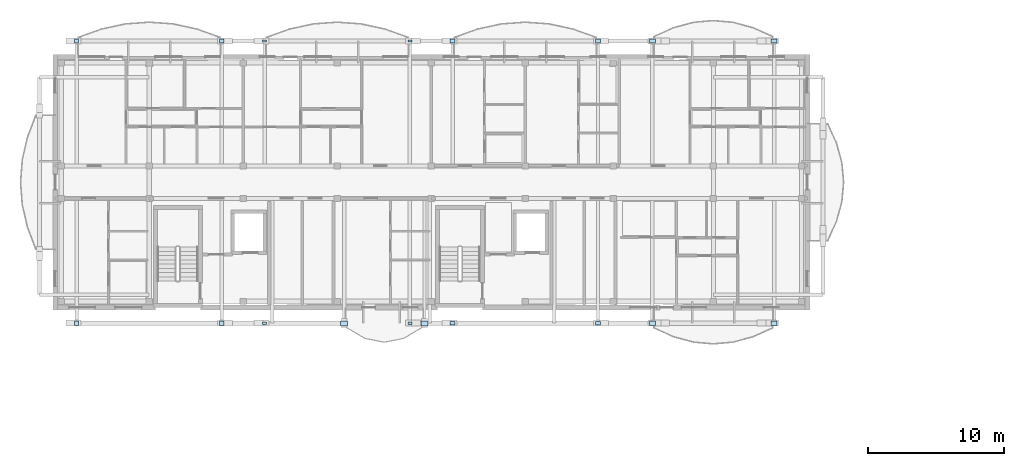
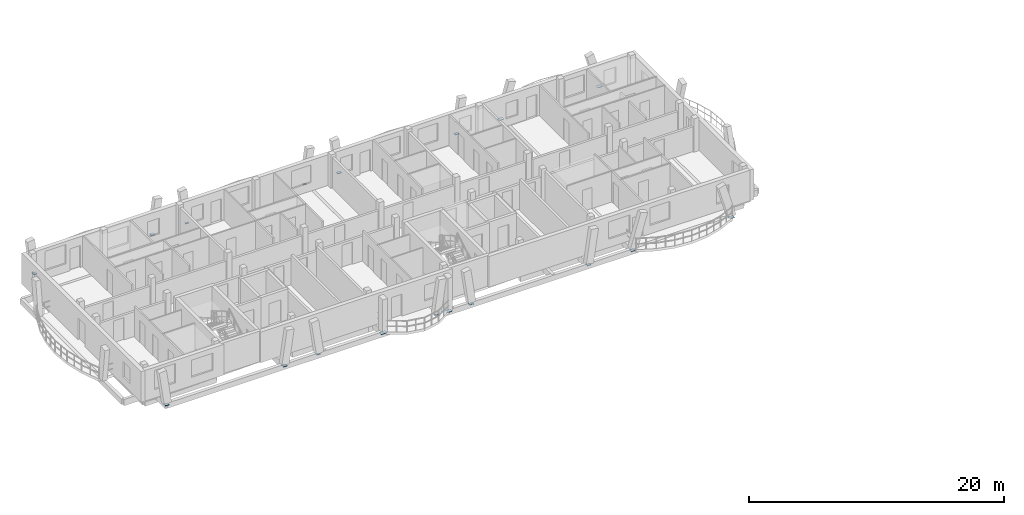
# One storey, part 13 of 52: 18 plates.
"""IFC4 building model written with IfcOpenShell, lengths in metres."""

import ifcopenshell
import ifcopenshell.guid

model = None  # the IFC model being written
_history = None  # IfcOwnerHistory: only IFC2X3 demands one
_inside = {}  # id of a spatial element -> (the spatial element, [elements in it])
_under = {}  # id of a project, library or spatial element -> (it, [spatial elements below it])
_declared = {}  # id of a project -> (the project, [libraries it declares])
_typed = {}  # id of a type object -> (the type object, [elements of that type])
_made_of = {}  # id of a material, layer set ... -> (it, [elements and type objects made of it])


def new_model(schema):
    """Start an empty IFC model of exactly this schema.

    Asked for "IFC4X3", IfcOpenShell would pick the latest addendum, in which some entities
    have other attributes; the version numbers below select the first issue.
    IFC2X3 requires an IfcOwnerHistory on every rooted entity: one is made here for all.
    """
    global model, _history
    if schema == "IFC4X3":
        model = ifcopenshell.file(schema_version=(4, 3, 0, 0))
    else:
        model = ifcopenshell.file(schema=schema)
    _inside.clear()
    _under.clear()
    _declared.clear()
    _typed.clear()
    _made_of.clear()
    _history = None
    if model.schema == "IFC2X3":
        org = make("IfcOrganization", Name="unknown")
        user = make(
            "IfcPersonAndOrganization",
            ThePerson=make("IfcPerson", FamilyName="unknown"),
            TheOrganization=org,
        )
        app = make(
            "IfcApplication",
            ApplicationDeveloper=org,
            Version="unknown",
            ApplicationFullName="unknown",
            ApplicationIdentifier="unknown",
        )
        _history = make(
            "IfcOwnerHistory",
            OwningUser=user,
            OwningApplication=app,
            ChangeAction="ADDED",
            CreationDate=0,
        )
    return model


def make(cls, **values):
    """One entity of the class cls with the attributes given. An attribute that is None is left unset."""
    return model.create_entity(
        cls, **{name: value for name, value in values.items() if value is not None}
    )


def rooted(cls, **values):
    """An entity with a GlobalId (a new one), such as an element, a storey or a relation."""
    return make(cls, GlobalId=ifcopenshell.guid.new(), OwnerHistory=_history, **values)


def si_unit(unit_type, name, prefix=None):
    """IfcSIUnit, for example si_unit("LENGTHUNIT", "METRE", prefix="MILLI")."""
    return make("IfcSIUnit", UnitType=unit_type, Prefix=prefix, Name=name)


def assignment(units):
    """IfcUnitAssignment: the units of a project."""
    return None if units is None else make("IfcUnitAssignment", Units=units)


def point(xyz):
    """IfcCartesianPoint."""
    return None if xyz is None else make("IfcCartesianPoint", Coordinates=xyz)


def direction(xyz):
    """IfcDirection."""
    return None if xyz is None else make("IfcDirection", DirectionRatios=xyz)


def frame(location, z_axis=None, x_axis=None):
    """IfcAxis2Placement3D, a coordinate frame: its origin and axes. An axis left out is left unset."""
    return make(
        "IfcAxis2Placement3D",
        Location=point(location),
        Axis=direction(z_axis),
        RefDirection=direction(x_axis),
    )


def frame_2d(location, x_axis=None):
    """IfcAxis2Placement2D, a coordinate frame in the plane: its origin and x axis."""
    return make(
        "IfcAxis2Placement2D", Location=point(location), RefDirection=direction(x_axis)
    )


def origin():
    """The frame at (0, 0, 0) with its axes left unset."""
    return frame((0.0, 0.0, 0.0))


def origin_2d():
    """The frame at (0, 0) in the plane with its x axis left unset."""
    return frame_2d((0.0, 0.0))


def place(relative_to, where):
    """IfcLocalPlacement: puts the frame where relative to a parent placement (None: the world)."""
    return make(
        "IfcLocalPlacement", PlacementRelTo=relative_to, RelativePlacement=where
    )


def context(
    kind, dimensions, precision=None, world=None, true_north=None, identifier=None
):
    """IfcGeometricRepresentationContext, for example the 3D "Model" context."""
    return make(
        "IfcGeometricRepresentationContext",
        ContextIdentifier=identifier,
        ContextType=kind,
        CoordinateSpaceDimension=dimensions,
        Precision=precision,
        WorldCoordinateSystem=world,
        TrueNorth=true_north,
    )


def subcontext(parent, identifier, kind, view, scale=None):
    """IfcGeometricRepresentationSubContext, for example "Body" below "Model"."""
    return make(
        "IfcGeometricRepresentationSubContext",
        ContextIdentifier=identifier,
        ContextType=kind,
        ParentContext=parent,
        TargetScale=scale,
        TargetView=view,
    )


def project(units=None, contexts=None):
    """IfcProject with its units and contexts."""
    return rooted(
        "IfcProject",
        Name="project",
        RepresentationContexts=contexts,
        UnitsInContext=assignment(units),
    )


def spatial(cls, under=None, at=None, **own):
    """A site, building, storey or space (cls), placed at a placement, below another one or the project."""
    s = rooted(cls, ObjectPlacement=at, **own)
    if under is not None:
        _under.setdefault(under.id(), (under, []))[1].append(s)
    return s


def profile(cls, at=None, kind="AREA", **sizes):
    """A parametric profile (cls). Its sizes go by their IFC names, for example OverallWidth=200.0."""
    return make(cls, ProfileType=kind, Position=at, **sizes)


def rectangle(**sizes):
    """IfcRectangleProfileDef."""
    return profile("IfcRectangleProfileDef", **sizes)


def extrude(swept, where, along, depth):
    """IfcExtrudedAreaSolid: the profile swept, set in the frame where, extruded along a direction by depth."""
    return make(
        "IfcExtrudedAreaSolid",
        SweptArea=swept,
        Position=where,
        ExtrudedDirection=direction(along),
        Depth=depth,
    )


def shape(context_of_items, identifier, shape_type, items):
    """IfcShapeRepresentation: the items that make up one representation, for example the "Body"."""
    return make(
        "IfcShapeRepresentation",
        ContextOfItems=context_of_items,
        RepresentationIdentifier=identifier,
        RepresentationType=shape_type,
        Items=items,
    )


def material(Name=None, Category=None):
    """IfcMaterial."""
    return make("IfcMaterial", Name=Name, Category=Category)


def layer(
    of_material, thickness, ventilated=None, Name=None, Category=None, Priority=None
):
    """IfcMaterialLayer: one layer of a wall or slab, of a material (None: an air gap)."""
    return make(
        "IfcMaterialLayer",
        Material=of_material,
        LayerThickness=thickness,
        IsVentilated=ventilated,
        Name=Name,
        Category=Category,
        Priority=Priority,
    )


def layer_set(layers, Name=None):
    """IfcMaterialLayerSet."""
    return make("IfcMaterialLayerSet", MaterialLayers=layers, LayerSetName=Name)


def made_of(thing, what):
    """Note that an element or type object is made of a material, layer set ...; save() writes the relation."""
    if what is not None:
        _made_of.setdefault(what.id(), (what, []))[1].append(thing)
    return thing


def type_object(cls, material=None, **own):
    """A type object (cls), such as IfcWallType, which elements share."""
    return made_of(rooted(cls, **own), material)


def element(
    cls,
    number,
    at=None,
    inside=None,
    cuts=None,
    type_object=None,
    material=None,
    context=None,
    identifier="Body",
    shape_type=None,
    held_by="IfcProductDefinitionShape",
    body=None,
    shapes=None,
    **own,
):
    """One element of the class cls, such as IfcWall. Its Tag is "e" and its number.

    at: its placement. inside: the storey or other place that contains it. cuts: it is an
    opening in that element (IfcRelVoidsElement). A single representation is given by context,
    identifier, shape_type and body (its items); several are given by shapes. held_by: the class
    of the entity that holds the representations. save() writes the other relations.
    """
    e = rooted(cls, Tag="e%d" % number, ObjectPlacement=at, **own)
    if body is not None:
        shapes = [shape(context, identifier, shape_type, body)]
    if shapes is not None:
        e.Representation = make(held_by, Representations=shapes)
    if inside is not None:
        _inside.setdefault(inside.id(), (inside, []))[1].append(e)
    if cuts is not None:
        rooted(
            "IfcRelVoidsElement", RelatingBuildingElement=cuts, RelatedOpeningElement=e
        )
    if type_object is not None:
        _typed.setdefault(type_object.id(), (type_object, []))[1].append(e)
    return made_of(e, material)


def aggregate(whole, parts):
    """IfcRelAggregates: a whole, such as a stair, and the parts it consists of."""
    return rooted("IfcRelAggregates", RelatingObject=whole, RelatedObjects=parts)


def save(model, path):
    """Write the relations noted so far, then the file.

    IfcRelAggregates (storeys below a building ...), IfcRelContainedInSpatialStructure (elements
    in a storey), IfcRelDefinesByType, IfcRelAssociatesMaterial and IfcRelDeclares: one each for
    every whole, place, type object, material and project.
    """
    for whole, parts in _under.values():
        aggregate(whole, parts)
    for where, things in _inside.values():
        rooted(
            "IfcRelContainedInSpatialStructure",
            RelatedElements=things,
            RelatingStructure=where,
        )
    for kind, things in _typed.values():
        rooted("IfcRelDefinesByType", RelatedObjects=things, RelatingType=kind)
    for what, things in _made_of.values():
        rooted("IfcRelAssociatesMaterial", RelatedObjects=things, RelatingMaterial=what)
    for by, libraries in _declared.values():
        rooted("IfcRelDeclares", RelatingContext=by, RelatedDefinitions=libraries)
    model.write(path)


model = new_model("IFC4")

# Units and contexts
model_context = context("Model", 3, precision=1e-05, world=origin(), true_north=direction((0.0, 1.0)))
body_context = subcontext(model_context, "Body", "Model", "MODEL_VIEW")
ifc_project = project(units=[si_unit("LENGTHUNIT", "METRE"), si_unit("AREAUNIT", "SQUARE_METRE"), si_unit("VOLUMEUNIT", "CUBIC_METRE"), si_unit("PLANEANGLEUNIT", "RADIAN"), si_unit("MASSUNIT", "GRAM", prefix="KILO")], contexts=[model_context])

# Site, building, storey
site_placement = place(None, origin())
site = spatial("IfcSite", under=ifc_project, at=site_placement, CompositionType="ELEMENT")
building_placement = place(site_placement, origin())
building = spatial("IfcBuilding", under=site, at=building_placement, Name="Zavelmont Quarter", CompositionType="ELEMENT")
storey_placement = place(building_placement, frame((0.0, 0.0, 14.39990234375)))
storey = spatial("IfcBuildingStorey", under=building, at=storey_placement, Name="L04", CompositionType="ELEMENT", Elevation=14.39990234375)

# Plates
ifc_material = material(Name="Steel S355", Category="steel")
ifc_layer_1 = layer(ifc_material, 0.02001953125)
ifc_layer_set_1 = layer_set([ifc_layer_1], Name="Steel S355")
plate_type_1 = type_object("IfcPlateType", Name="NP01", PredefinedType="SHEET", material=ifc_layer_set_1)
for number, where, z_axis, x_axis, name in (
    (1, (15.365234375, 117.162109375, -0.2099609375), (0.0, 0.0, 1.0), (1.0, 0.0, 0.0), "L04 steel connection plate NP01 at 3/S"),
    (2, (26.03466796875, 117.162109375, -0.2099609375), (0.0, 0.0, 1.0), (1.0, 0.0, 0.0), "L04 steel connection plate NP01 at 5/S"),
    (3, (15.365234375, 96.43798828125, -0.2099609375), (0.0, 0.0, 1.0), (1.0, 0.0, 0.0), "L04 steel connection plate NP01 at 3/P"),
    (4, (26.03466796875, 96.43798828125, -0.2099609375), (0.0, 0.0, 1.0), (1.0, 0.0, 0.0), "L04 steel connection plate NP01 at 5/P"),
):
    element("IfcPlate", number, at=place(storey_placement, frame(where, z_axis=z_axis, x_axis=x_axis)), inside=storey, type_object=plate_type_1, Name=name, PredefinedType="SHEET", context=body_context, shape_type="SweptSolid", body=[
        extrude(rectangle(XDim=0.280029296875, YDim=0.179931640625, at=origin_2d()), origin(), (0.0, 0.0, 1.0), 0.02001953125),
    ])
ifc_layer_2 = layer(ifc_material, 0.02392578125)
ifc_layer_set_2 = layer_set([ifc_layer_2], Name="Steel S355")
plate_type_2 = type_object("IfcPlateType", Name="NP02", PredefinedType="SHEET", material=ifc_layer_set_2)
for number, where, z_axis, x_axis, name in (
    (5, (29.165283203125, 117.162109375, -0.2119140625), (0.0, 0.0, 1.0), (1.0, 0.0, 0.0), "L04 steel connection plate NP02 at 5/S"),
    (6, (39.834716796875, 117.162109375, -0.2119140625), (0.0, 0.0, 1.0), (1.0, 0.0, 0.0), "L04 steel connection plate NP02 at 7/S"),
    (7, (29.165283203125, 96.43798828125, -0.2119140625), (0.0, 0.0, 1.0), (1.0, 0.0, 0.0), "L04 steel connection plate NP02 at 5/P"),
    (8, (39.834716796875, 96.43798828125, -0.2119140625), (0.0, 0.0, 1.0), (1.0, 0.0, 0.0), "L04 steel connection plate NP02 at 7/P"),
):
    element("IfcPlate", number, at=place(storey_placement, frame(where, z_axis=z_axis, x_axis=x_axis)), inside=storey, type_object=plate_type_2, Name=name, PredefinedType="SHEET", context=body_context, shape_type="SweptSolid", body=[
        extrude(rectangle(XDim=0.360107421875, YDim=0.260009765625, at=origin_2d()), origin(), (0.0, 0.0, 1.0), 0.02392578125),
    ])
ifc_layer_3 = layer(ifc_material, 0.02490234375)
ifc_layer_set_3 = layer_set([ifc_layer_3], Name="Steel S355")
plate_type_3 = type_object("IfcPlateType", Name="NP03", PredefinedType="SHEET", material=ifc_layer_set_3)
for number, where, z_axis, x_axis, name in (
    (9, (43.827880859375, 117.162109375, -0.21240234375), (0.0, 0.0, 1.0), (1.0, 0.0, 0.0), "L04 steel connection plate NP03 at 7/S"),
    (10, (52.77197265625, 117.162109375, -0.21240234375), (0.0, 0.0, 1.0), (1.0, 0.0, 0.0), "L04 steel connection plate NP03 at 9/S"),
    (11, (43.827880859375, 96.43798828125, -0.21240234375), (0.0, 0.0, 1.0), (1.0, 0.0, 0.0), "L04 steel connection plate NP03 at 7/P"),
    (12, (52.77197265625, 96.43798828125, -0.21240234375), (0.0, 0.0, 1.0), (1.0, 0.0, 0.0), "L04 steel connection plate NP03 at 9/P"),
):
    element("IfcPlate", number, at=place(storey_placement, frame(where, z_axis=z_axis, x_axis=x_axis)), inside=storey, type_object=plate_type_3, Name=name, PredefinedType="SHEET", context=body_context, shape_type="SweptSolid", body=[
        extrude(rectangle(XDim=0.43994140625, YDim=0.320068359375, at=origin_2d()), origin(), (0.0, 0.0, 1.0), 0.02490234375),
    ])
ifc_layer_4 = layer(ifc_material, 0.028076171875)
ifc_layer_set_4 = layer_set([ifc_layer_4], Name="Steel S355")
plate_type_4 = type_object("IfcPlateType", Name="NP04", PredefinedType="SHEET", material=ifc_layer_set_4)
for number, where, z_axis, x_axis, name in (
    (13, (21.199951171875, 96.43798828125, -0.2138671875), (0.0, 0.0, 1.0), (1.0, 0.0, 0.0), "L04 steel connection plate NP04 at 4/P"),
    (14, (27.10009765625, 96.43798828125, -0.2138671875), (0.0, 0.0, 1.0), (1.0, 0.0, 0.0), "L04 steel connection plate NP04 at 5/P"),
):
    element("IfcPlate", number, at=place(storey_placement, frame(where, z_axis=z_axis, x_axis=x_axis)), inside=storey, type_object=plate_type_4, Name=name, PredefinedType="SHEET", context=body_context, shape_type="SweptSolid", body=[
        extrude(rectangle(XDim=0.52001953125, YDim=0.360107421875, at=origin_2d()), origin(), (0.0, 0.0, 1.0), 0.028076171875),
    ])
ifc_layer_5 = layer(ifc_material, 0.02197265625)
ifc_layer_set_5 = layer_set([ifc_layer_5], Name="Steel S355")
plate_type_5 = type_object("IfcPlateType", Name="NP06", PredefinedType="SHEET", material=ifc_layer_set_5)
for number, where, z_axis, x_axis, name in (
    (15, (1.565185546875, 117.162109375, -0.2109375), (0.0, 0.0, 1.0), (1.0, 0.0, 0.0), "L04 steel connection plate NP06 at 1/S"),
    (16, (12.234619140625, 117.162109375, -0.2109375), (0.0, 0.0, 1.0), (1.0, 0.0, 0.0), "L04 steel connection plate NP06 at 3/S"),
    (17, (1.565185546875, 96.43798828125, -0.2109375), (0.0, 0.0, 1.0), (1.0, 0.0, 0.0), "L04 steel connection plate NP06 at 1/P"),
    (18, (12.234619140625, 96.43798828125, -0.2109375), (0.0, 0.0, 1.0), (1.0, 0.0, 0.0), "L04 steel connection plate NP06 at 3/P"),
):
    element("IfcPlate", number, at=place(storey_placement, frame(where, z_axis=z_axis, x_axis=x_axis)), inside=storey, type_object=plate_type_5, Name=name, PredefinedType="SHEET", context=body_context, shape_type="SweptSolid", body=[
        extrude(rectangle(XDim=0.320068359375, YDim=0.320068359375, at=origin_2d()), origin(), (0.0, 0.0, 1.0), 0.02197265625),
    ])

save(model, "model.ifc")
